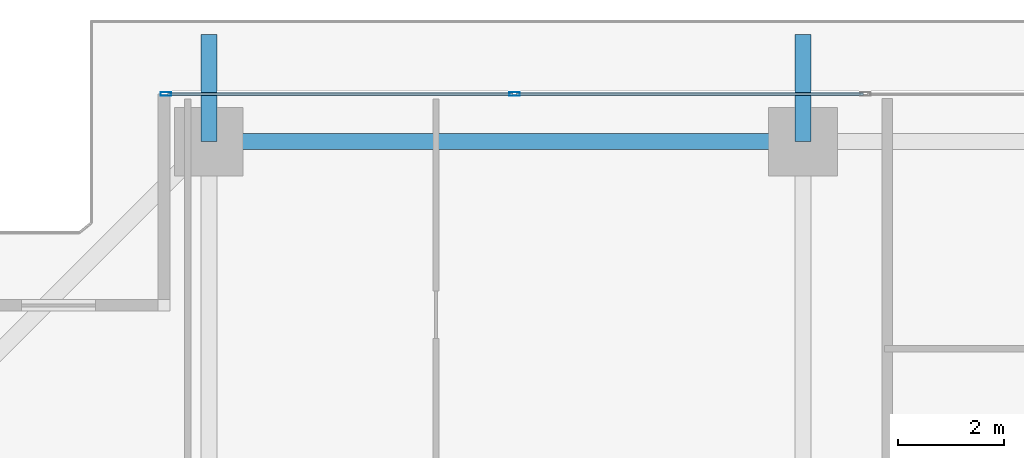
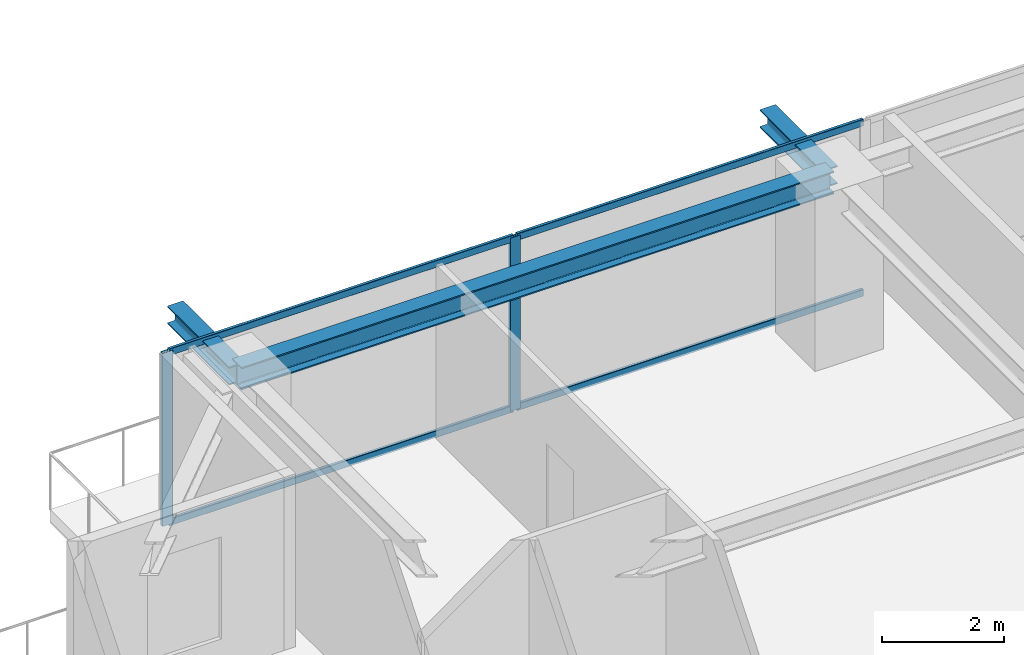
# One storey, part 18 of 34: 6 members, 3 beams, 1 element without a shape of its own.
"""IFC4 building model written with IfcOpenShell, lengths in metres."""

from ifc_helpers import new_model, si_unit, direction, frame, origin, origin_2d, place, context, subcontext, project, spatial, hollow_rectangle, i_section, extrude, source, transform, mapped, material, layer, layer_set, material_profile, profile_set, type_object, element, aggregate, save


model = new_model("IFC4")

# Units and contexts
model_context = context("Model", 3, precision=1e-05, world=origin(), true_north=direction((0.0, 1.0)))
body_context = subcontext(model_context, "Body", "Model", "MODEL_VIEW")
ifc_project = project(units=[si_unit("LENGTHUNIT", "METRE"), si_unit("AREAUNIT", "SQUARE_METRE"), si_unit("VOLUMEUNIT", "CUBIC_METRE"), si_unit("PLANEANGLEUNIT", "RADIAN"), si_unit("MASSUNIT", "GRAM", prefix="KILO")], contexts=[model_context])

# Site, building, storey
site_placement = place(None, origin())
site = spatial("IfcSite", under=ifc_project, at=site_placement, CompositionType="ELEMENT")
building_placement = place(site_placement, origin())
building = spatial("IfcBuilding", under=site, at=building_placement, Name="Serunith Strait Residences", CompositionType="ELEMENT")
storey_placement = place(building_placement, frame((0.0, 0.0, 187.64990234375)))
storey = spatial("IfcBuildingStorey", under=building, at=storey_placement, Name="L47", CompositionType="ELEMENT", Elevation=187.64990234375)

# Beams
ifc_material_1 = material(Name="Steel S355J2", Category="steel")
ifc_material_profile_1 = material_profile(ifc_material_1, i_section(OverallWidth=0.300048828125, OverallDepth=0.449951171875, WebThickness=0.013916015625, FlangeThickness=0.02587890625, FilletRadius=0.027099609375, at=origin_2d()), Name="HEB 450")
ifc_profile_set_1 = profile_set([ifc_material_profile_1], Name="Steel S355J2")
beam_type_1 = type_object("IfcBeamType", Name="BM-HEB450", PredefinedType="BEAM", material=ifc_profile_set_1)
shared_shape_1 = source(origin(), body_context, "Body", "SweptSolid", [
    extrude(i_section(OverallWidth=0.300048828125, OverallDepth=0.449951171875, WebThickness=0.013916015625, FlangeThickness=0.02587890625, FilletRadius=0.027099609375, at=origin_2d()), origin(), (0.0, 0.0, 1.0), 11.25),
])
beam_placement = place(storey_placement, frame((27.89990234375, 48.10009765625, 3.26220703125), z_axis=(-1.0, 0.0, 0.0), x_axis=(0.0, -1.0, 0.0)))
element("IfcBeam", 1, at=beam_placement, inside=storey, type_object=beam_type_1, Name="L47 Perimeter Ring Beam 11", PredefinedType="BEAM", context=body_context, shape_type="MappedRepresentation", body=[
    mapped(shared_shape_1, transform((0.0, 0.0, 0.0), scale=1.0)),
])
ifc_material_profile_2 = material_profile(ifc_material_1, i_section(OverallWidth=0.300048828125, OverallDepth=0.360107421875, WebThickness=0.012451171875, FlangeThickness=0.0224609375, FilletRadius=0.027099609375, at=origin_2d()), Name="HEB 360")
ifc_profile_set_2 = profile_set([ifc_material_profile_2], Name="Steel S355J2")
beam_type_2 = type_object("IfcBeamType", Name="BM-HEB360", PredefinedType="BEAM", material=ifc_profile_set_2)
shared_shape_2 = source(origin(), body_context, "Body", "SweptSolid", [
    extrude(i_section(OverallWidth=0.300048828125, OverallDepth=0.360107421875, WebThickness=0.012451171875, FlangeThickness=0.0224609375, FilletRadius=0.027099609375, at=origin_2d()), origin(), (0.0, 0.0, 1.0), 2.02978515625),
])
for number, where, z_axis, x_axis, name in (
    (2, (16.64990234375, 48.10009765625, 3.277099609375), (0.0, 1.0, 0.0), (-1.0, 0.0, 0.0), "L48 Cantilevered Balcony Rib TC-N1"),
    (3, (27.89990234375, 48.10009765625, 3.277099609375), (0.0, 1.0, 0.0), (-1.0, 0.0, 0.0), "L48 Cantilevered Balcony Rib TC-N2"),
):
    element("IfcBeam", number, at=place(storey_placement, frame(where, z_axis=z_axis, x_axis=x_axis)), inside=storey, type_object=beam_type_2, Name=name, PredefinedType="BEAM", context=body_context, shape_type="MappedRepresentation", body=[
        mapped(shared_shape_2, transform((0.0, 0.0, 0.0), scale=1.0)),
    ])

# Curtain wall, members
ifc_material_2 = material(Name="Pale-Champagne Anodised Aluminium", Category="aluminium")
ifc_layer = layer(ifc_material_2, 0.199951171875, Name="Pale-Champagne Anodised Aluminium")
ifc_layer_set = layer_set([ifc_layer], Name="Pale-Champagne Anodised Aluminium")
curtain_wall_type = type_object("IfcCurtainWallType", Name="CW-SYS2", PredefinedType="NOTDEFINED", material=ifc_layer_set)
curtain_wall_placement = place(storey_placement, origin())
curtain_wall = element("IfcCurtainWall", 4, at=curtain_wall_placement, inside=storey, type_object=curtain_wall_type, Name="L47 N Unitised Fritted Curtain Wall", PredefinedType="NOTDEFINED")
ifc_material_profile_3 = material_profile(ifc_material_2, hollow_rectangle(XDim=0.070068359375, YDim=0.199951171875, WallThickness=0.00390625, InnerFilletRadius=0.006103515625, OuterFilletRadius=0.010009765625, at=origin_2d()), Name="ALU 200x70x4")
ifc_profile_set_3 = profile_set([ifc_material_profile_3], Name="Pale-Champagne Anodised Aluminium")
member_type_1 = type_object("IfcMemberType", Name="CW-SYS2-MULL", PredefinedType="MULLION", material=ifc_profile_set_3)
shared_shape_3 = source(origin(), body_context, "Body", "SweptSolid", [
    extrude(hollow_rectangle(XDim=0.070068359375, YDim=0.199951171875, WallThickness=0.00390625, InnerFilletRadius=0.006103515625, OuterFilletRadius=0.010009765625, at=origin_2d()), origin(), (0.0, 0.0, 1.0), 3.47509765625),
])
member_1_placement = place(storey_placement, frame((22.43994140625, 49.0, 0.0), z_axis=(0.0, 0.0, 1.0), x_axis=(0.0, -1.0, 0.0)))
member_1 = element("IfcMember", 5, at=member_1_placement, type_object=member_type_1, Name="CW-2 mullion 5", PredefinedType="MULLION", context=body_context, shape_type="MappedRepresentation", body=[
    mapped(shared_shape_3, transform((0.0, 0.0, 0.0), scale=1.0)),
])
member_2_placement = place(storey_placement, frame((15.8349609375, 49.0, 0.0), z_axis=(0.0, 0.0, 1.0), x_axis=(0.0, -1.0, 0.0)))
member_2 = element("IfcMember", 6, at=member_2_placement, type_object=member_type_1, Name="CW-2 mullion 6", PredefinedType="MULLION", context=body_context, shape_type="MappedRepresentation", body=[
    mapped(shared_shape_3, transform((0.0, 0.0, 0.0), scale=1.0)),
])
ifc_material_profile_4 = material_profile(ifc_material_2, hollow_rectangle(XDim=0.06005859375, YDim=0.139892578125, WallThickness=0.00341796875, InnerFilletRadius=0.00537109375, OuterFilletRadius=0.0087890625, at=origin_2d()), Name="ALU 140x60x3.5")
ifc_profile_set_4 = profile_set([ifc_material_profile_4], Name="Pale-Champagne Anodised Aluminium")
member_type_2 = type_object("IfcMemberType", Name="CW-SYS2-TRAN", PredefinedType="USERDEFINED", material=ifc_profile_set_4)
shared_shape_4 = source(origin(), body_context, "Body", "SweptSolid", [
    extrude(hollow_rectangle(XDim=0.06005859375, YDim=0.139892578125, WallThickness=0.00341796875, InnerFilletRadius=0.00537109375, OuterFilletRadius=0.0087890625, at=origin_2d()), origin(), (0.0, 0.0, 1.0), 6.534912109375),
])
member_3_placement = place(storey_placement, frame((22.405029296875, 49.0, 0.030029296875), z_axis=(-1.0, 0.0, 0.0), x_axis=(0.0, -1.0, 0.0)))
member_3 = element("IfcMember", 7, at=member_3_placement, type_object=member_type_2, Name="CW-2 transom 5.1", ObjectType="TRANSOM", PredefinedType="USERDEFINED", context=body_context, shape_type="MappedRepresentation", body=[
    mapped(shared_shape_4, transform((0.0, 0.0, 0.0), scale=1.0)),
])
member_4_placement = place(storey_placement, frame((22.405029296875, 49.0, 3.445068359375), z_axis=(-1.0, 0.0, 0.0), x_axis=(0.0, -1.0, 0.0)))
member_4 = element("IfcMember", 8, at=member_4_placement, type_object=member_type_2, Name="CW-2 transom 5.2", ObjectType="TRANSOM", PredefinedType="USERDEFINED", context=body_context, shape_type="MappedRepresentation", body=[
    mapped(shared_shape_4, transform((0.0, 0.0, 0.0), scale=1.0)),
])
shared_shape_5 = source(origin(), body_context, "Body", "SweptSolid", [
    extrude(hollow_rectangle(XDim=0.06005859375, YDim=0.139892578125, WallThickness=0.00341796875, InnerFilletRadius=0.00537109375, OuterFilletRadius=0.0087890625, at=origin_2d()), origin(), (0.0, 0.0, 1.0), 6.56982421875),
])
member_5_placement = place(storey_placement, frame((29.044921875, 49.0, 0.030029296875), z_axis=(-1.0, 0.0, 0.0), x_axis=(0.0, -1.0, 0.0)))
member_5 = element("IfcMember", 9, at=member_5_placement, type_object=member_type_2, Name="CW-2 transom 4.1", ObjectType="TRANSOM", PredefinedType="USERDEFINED", context=body_context, shape_type="MappedRepresentation", body=[
    mapped(shared_shape_5, transform((0.0, 0.0, 0.0), scale=1.0)),
])
member_6_placement = place(storey_placement, frame((29.044921875, 49.0, 3.445068359375), z_axis=(-1.0, 0.0, 0.0), x_axis=(0.0, -1.0, 0.0)))
member_6 = element("IfcMember", 10, at=member_6_placement, type_object=member_type_2, Name="CW-2 transom 4.2", ObjectType="TRANSOM", PredefinedType="USERDEFINED", context=body_context, shape_type="MappedRepresentation", body=[
    mapped(shared_shape_5, transform((0.0, 0.0, 0.0), scale=1.0)),
])
aggregate(curtain_wall, [member_1, member_2, member_5, member_6, member_3, member_4])

save(model, "model.ifc")
